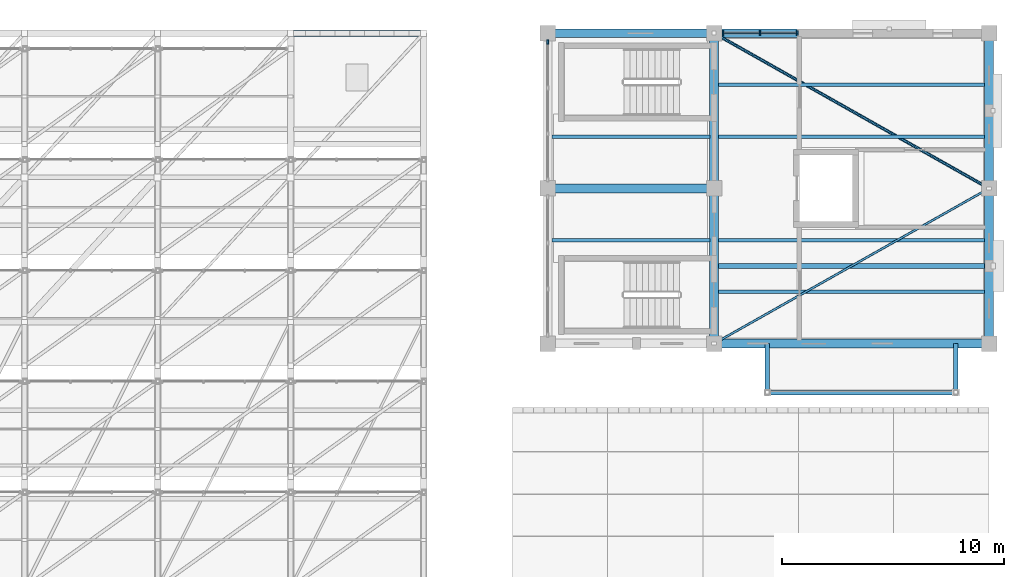
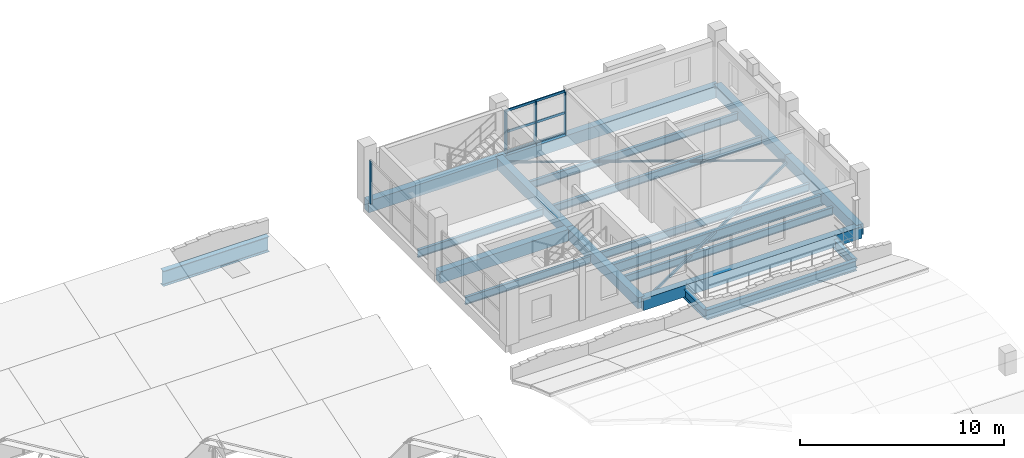
# One storey, part 21 of 48: 19 beams, 9 members, 2 elements without a shape of their own.
"""IFC4 building model written with IfcOpenShell, lengths in metres."""

from ifc_helpers import new_model, si_unit, direction, frame, origin, origin_2d, place, context, subcontext, project, spatial, rectangle, hollow_rectangle, hollow_circle, i_section, extrude, material, layer, layer_set, material_profile, profile_set, type_object, element, aggregate, save


model = new_model("IFC4")

# Units and contexts
model_context = context("Model", 3, precision=1e-05, world=origin(), true_north=direction((0.0, 1.0)))
body_context = subcontext(model_context, "Body", "Model", "MODEL_VIEW")
ifc_project = project(units=[si_unit("LENGTHUNIT", "METRE"), si_unit("AREAUNIT", "SQUARE_METRE"), si_unit("VOLUMEUNIT", "CUBIC_METRE"), si_unit("PLANEANGLEUNIT", "RADIAN"), si_unit("MASSUNIT", "GRAM", prefix="KILO")], contexts=[model_context])

# Site, building, storey
site_placement = place(None, origin())
site = spatial("IfcSite", under=ifc_project, at=site_placement, CompositionType="ELEMENT")
building_placement = place(site_placement, origin())
building = spatial("IfcBuilding", under=site, at=building_placement, Name="Trellovar Central Fire Station", CompositionType="ELEMENT")
storey_placement = place(building_placement, frame((0.0, 0.0, 9.300048828125)))
storey = spatial("IfcBuildingStorey", under=building, at=storey_placement, Name="L03", CompositionType="ELEMENT", Elevation=9.300048828125)

# Beams
ifc_material_1 = material(Name="Concrete C40/50", Category="concrete")
ifc_material_profile_1 = material_profile(ifc_material_1, rectangle(XDim=0.39990234375, YDim=0.699951171875, at=origin_2d()), Name="RC400X700")
ifc_profile_set_1 = profile_set([ifc_material_profile_1], Name="Concrete C40/50")
beam_type_1 = type_object("IfcBeamType", Name="BM-G3", PredefinedType="BEAM", material=ifc_profile_set_1)
beam_1_placement = place(storey_placement, frame((148.60009765625, 59.0, -0.35009765625), z_axis=(1.0, 0.0, 0.0), x_axis=(0.0, 1.0, 0.0)))
element("IfcBeam", 1, at=beam_1_placement, inside=storey, type_object=beam_type_1, Name="L03 beam G-3", PredefinedType="BEAM", context=body_context, shape_type="SweptSolid", body=[
    extrude(rectangle(XDim=0.39990234375, YDim=0.699951171875, at=origin_2d()), origin(), (0.0, 0.0, 1.0), 12.39990234375),
])
for number, where, z_axis, x_axis, name in (
    (2, (141.10009765625, 66.0, -0.35009765625), (1.0, 0.0, 0.0), (0.0, 1.0, 0.0), "L03 beam G-3"),
    (3, (141.10009765625, 73.0, -0.35009765625), (1.0, 0.0, 0.0), (0.0, 1.0, 0.0), "L03 beam G-3"),
):
    element("IfcBeam", number, at=place(storey_placement, frame(where, z_axis=z_axis, x_axis=x_axis)), inside=storey, type_object=beam_type_1, Name=name, PredefinedType="BEAM", context=body_context, shape_type="SweptSolid", body=[
        extrude(rectangle(XDim=0.39990234375, YDim=0.699951171875, at=origin_2d()), origin(), (0.0, 0.0, 1.0), 7.5),
    ])
beam_2_placement = place(storey_placement, frame((148.60009765625, 73.0, -0.35009765625), z_axis=(1.0, 0.0, 0.0), x_axis=(0.0, 1.0, 0.0)))
element("IfcBeam", 4, at=beam_2_placement, inside=storey, type_object=beam_type_1, Name="L03 beam G-3", PredefinedType="BEAM", context=body_context, shape_type="SweptSolid", body=[
    extrude(rectangle(XDim=0.39990234375, YDim=0.699951171875, at=origin_2d()), origin(), (0.0, 0.0, 1.0), 12.39990234375),
])
ifc_material_2 = material(Name="Concrete C40/50", Category="concrete")
ifc_material_profile_2 = material_profile(ifc_material_2, rectangle(XDim=0.39990234375, YDim=0.64990234375, at=origin_2d()), Name="RC400X650")
ifc_profile_set_2 = profile_set([ifc_material_profile_2], Name="Concrete C40/50")
beam_type_2 = type_object("IfcBeamType", Name="BM-G4", PredefinedType="BEAM", material=ifc_profile_set_2)
for number, where, z_axis, x_axis, name in (
    (5, (148.60009765625, 59.0, -0.324951171875), (0.0, 1.0, 0.0), (-1.0, 0.0, 0.0), "L03 beam G-4"),
    (6, (148.60009765625, 66.0, -0.324951171875), (0.0, 1.0, 0.0), (-1.0, 0.0, 0.0), "L03 beam G-4"),
    (7, (161.0, 59.0, -0.324951171875), (0.0, 1.0, 0.0), (-1.0, 0.0, 0.0), "L03 beam G-4"),
    (8, (161.0, 66.0, -0.324951171875), (0.0, 1.0, 0.0), (-1.0, 0.0, 0.0), "L03 beam G-4"),
):
    element("IfcBeam", number, at=place(storey_placement, frame(where, z_axis=z_axis, x_axis=x_axis)), inside=storey, type_object=beam_type_2, Name=name, PredefinedType="BEAM", context=body_context, shape_type="SweptSolid", body=[
        extrude(rectangle(XDim=0.39990234375, YDim=0.64990234375, at=origin_2d()), origin(), (0.0, 0.0, 1.0), 7.0),
    ])
ifc_material_3 = material(Name="Steel ASTM A992 Grade 50", Category="steel")
ifc_material_profile_3 = material_profile(ifc_material_3, i_section(OverallWidth=0.3046875, OverallDepth=0.911865234375, WebThickness=0.015869140625, FlangeThickness=0.02392578125, FilletRadius=0.024169921875, at=origin_2d()), Name="W36X150")
ifc_profile_set_3 = profile_set([ifc_material_profile_3], Name="Steel ASTM A992 Grade 50")
beam_type_3 = type_object("IfcBeamType", Name="BM-SW1", PredefinedType="BEAM", material=ifc_profile_set_3)
beam_3_placement = place(storey_placement, frame((129.5, 73.0, -0.635986328125), z_axis=(1.0, 0.0, 0.0), x_axis=(0.0, 1.0, 0.0)))
element("IfcBeam", 9, at=beam_3_placement, inside=storey, type_object=beam_type_3, Name="L03 beam SB-1", PredefinedType="BEAM", context=body_context, shape_type="SweptSolid", body=[
    extrude(i_section(OverallWidth=0.3046875, OverallDepth=0.911865234375, WebThickness=0.015869140625, FlangeThickness=0.02392578125, FilletRadius=0.024169921875, at=origin_2d()), origin(), (0.0, 0.0, 1.0), 6.0),
])
ifc_material_4 = material(Name="Steel ASTM A992 Grade 50", Category="steel")
ifc_material_profile_4 = material_profile(ifc_material_4, i_section(OverallWidth=0.15283203125, OverallDepth=0.45458984375, WebThickness=0.008056640625, FlangeThickness=0.01318359375, FilletRadius=0.0126953125, at=origin_2d()), Name="W18X40")
ifc_profile_set_4 = profile_set([ifc_material_profile_4], Name="Steel ASTM A992 Grade 50")
beam_type_4 = type_object("IfcBeamType", Name="BM-SW10", PredefinedType="JOIST", material=ifc_profile_set_4)
for number, where, z_axis, x_axis, name in (
    (10, (141.294921875, 63.666748046875, -0.477294921875), (1.0, 0.0, 0.0), (0.0, 1.0, 0.0), "L03 beam SB-10"),
    (11, (141.294921875, 68.333251953125, -0.477294921875), (1.0, 0.0, 0.0), (0.0, 1.0, 0.0), "L03 beam SB-10"),
):
    element("IfcBeam", number, at=place(storey_placement, frame(where, z_axis=z_axis, x_axis=x_axis)), inside=storey, type_object=beam_type_4, Name=name, PredefinedType="JOIST", context=body_context, shape_type="SweptSolid", body=[
        extrude(i_section(OverallWidth=0.15283203125, OverallDepth=0.45458984375, WebThickness=0.008056640625, FlangeThickness=0.01318359375, FilletRadius=0.0126953125, at=origin_2d()), origin(), (0.0, 0.0, 1.0), 7.110107421875),
    ])
for number, where, z_axis, x_axis, name in (
    (12, (148.794921875, 61.333251953125, -0.477294921875), (1.0, 0.0, 0.0), (0.0, 1.0, 0.0), "L03 beam SB-10"),
    (13, (148.794921875, 63.666748046875, -0.477294921875), (1.0, 0.0, 0.0), (0.0, 1.0, 0.0), "L03 beam SB-10"),
    (14, (148.794921875, 68.333251953125, -0.477294921875), (1.0, 0.0, 0.0), (0.0, 1.0, 0.0), "L03 beam SB-10"),
    (15, (148.794921875, 70.666748046875, -0.477294921875), (1.0, 0.0, 0.0), (0.0, 1.0, 0.0), "L03 beam SB-10"),
):
    element("IfcBeam", number, at=place(storey_placement, frame(where, z_axis=z_axis, x_axis=x_axis)), inside=storey, type_object=beam_type_4, Name=name, PredefinedType="JOIST", context=body_context, shape_type="SweptSolid", body=[
        extrude(i_section(OverallWidth=0.15283203125, OverallDepth=0.45458984375, WebThickness=0.008056640625, FlangeThickness=0.01318359375, FilletRadius=0.0126953125, at=origin_2d()), origin(), (0.0, 0.0, 1.0), 12.010009765625),
    ])
ifc_material_5 = material(Name="Steel ASTM A992 Grade 50", Category="steel")
ifc_material_profile_5 = material_profile(ifc_material_5, i_section(OverallWidth=0.22900390625, OverallDepth=0.612060546875, WebThickness=0.011962890625, FlangeThickness=0.01953125, FilletRadius=0.01513671875, at=origin_2d()), Name="W24X84")
ifc_profile_set_5 = profile_set([ifc_material_profile_5], Name="Steel ASTM A992 Grade 50")
beam_type_5 = type_object("IfcBeamType", Name="BM-SW5", PredefinedType="BEAM", material=ifc_profile_set_5)
beam_4_placement = place(storey_placement, frame((148.60009765625, 62.5, -0.546142578125), z_axis=(1.0, 0.0, 0.0), x_axis=(0.0, 1.0, 0.0)))
element("IfcBeam", 16, at=beam_4_placement, inside=storey, type_object=beam_type_5, Name="V2 L03 44.5 kN rappel anchor beam", PredefinedType="BEAM", context=body_context, shape_type="SweptSolid", body=[
    extrude(i_section(OverallWidth=0.22900390625, OverallDepth=0.612060546875, WebThickness=0.011962890625, FlangeThickness=0.01953125, FilletRadius=0.01513671875, at=origin_2d()), origin(), (0.0, 0.0, 1.0), 12.39990234375),
])
ifc_material_6 = material(Name="Steel ASTM A992 Grade 50", Category="steel")
ifc_material_profile_6 = material_profile(ifc_material_6, i_section(OverallWidth=0.227783203125, OverallDepth=0.60205078125, WebThickness=0.010498046875, FlangeThickness=0.014892578125, FilletRadius=0.01513671875, at=origin_2d()), Name="W24X68")
ifc_profile_set_6 = profile_set([ifc_material_profile_6], Name="Steel ASTM A992 Grade 50")
beam_type_6 = type_object("IfcBeamType", Name="BM-SW6", PredefinedType="BEAM", material=ifc_profile_set_6)
beam_5_placement = place(storey_placement, frame((151.0, 56.800048828125, -0.531005859375), z_axis=(1.0, 0.0, 0.0), x_axis=(0.0, 1.0, 0.0)))
element("IfcBeam", 17, at=beam_5_placement, inside=storey, type_object=beam_type_6, Name="V2 L03 balcony edge beam", PredefinedType="BEAM", context=body_context, shape_type="SweptSolid", body=[
    extrude(i_section(OverallWidth=0.227783203125, OverallDepth=0.60205078125, WebThickness=0.010498046875, FlangeThickness=0.014892578125, FilletRadius=0.01513671875, at=origin_2d()), origin(), (0.0, 0.0, 1.0), 8.5),
])
ifc_material_7 = material(Name="Steel ASTM A992 Grade 50", Category="steel")
ifc_material_profile_7 = material_profile(ifc_material_7, i_section(OverallWidth=0.209228515625, OverallDepth=0.533447265625, WebThickness=0.01025390625, FlangeThickness=0.015625, FilletRadius=0.013916015625, at=origin_2d()), Name="W21X62")
ifc_profile_set_7 = profile_set([ifc_material_profile_7], Name="Steel ASTM A992 Grade 50")
beam_type_7 = type_object("IfcBeamType", Name="BM-SW7", PredefinedType="BEAM", material=ifc_profile_set_7)
for number, where, z_axis, x_axis, name in (
    (18, (151.0, 56.800048828125, -0.496826171875), (0.0, 1.0, 0.0), (-1.0, 0.0, 0.0), "V2 L03 balcony tie beam"),
    (19, (159.5, 56.800048828125, -0.496826171875), (0.0, 1.0, 0.0), (-1.0, 0.0, 0.0), "V2 L03 balcony tie beam"),
):
    element("IfcBeam", number, at=place(storey_placement, frame(where, z_axis=z_axis, x_axis=x_axis)), inside=storey, type_object=beam_type_7, Name=name, PredefinedType="BEAM", context=body_context, shape_type="SweptSolid", body=[
        extrude(i_section(OverallWidth=0.209228515625, OverallDepth=0.533447265625, WebThickness=0.01025390625, FlangeThickness=0.015625, FilletRadius=0.013916015625, at=origin_2d()), origin(), (0.0, 0.0, 1.0), 2.199951171875),
    ])

# Curtain wall, members
ifc_material_8 = material(Name="Thermally broken bronze anodized aluminum", Category="aluminium")
ifc_layer_1 = layer(ifc_material_8, 0.159912109375)
ifc_layer_set_1 = layer_set([ifc_layer_1], Name="Thermally broken bronze anodized aluminum")
curtain_wall_type_1 = type_object("IfcCurtainWallType", Name="CW-08", PredefinedType="NOTDEFINED", material=ifc_layer_set_1)
curtain_wall_1_placement = place(storey_placement, origin())
curtain_wall_1 = element("IfcCurtainWall", 20, at=curtain_wall_1_placement, inside=storey, type_object=curtain_wall_type_1, Name="V2 L03 north lobby curtain wall", PredefinedType="NOTDEFINED")
ifc_material_9 = material(Name="Thermally broken bronze anodized aluminum", Category="aluminium")
ifc_material_profile_8 = material_profile(ifc_material_9, rectangle(XDim=0.074951171875, YDim=0.199951171875, at=origin_2d()), Name="ALU75X200")
ifc_profile_set_8 = profile_set([ifc_material_profile_8], Name="Thermally broken bronze anodized aluminum")
member_type_1 = type_object("IfcMemberType", Name="CWM-1", PredefinedType="MULLION", material=ifc_profile_set_8)
member_1_placement = place(storey_placement, frame((152.35009765625, 73.0, 0.0), z_axis=(0.0, 0.0, 1.0), x_axis=(1.0, 0.0, 0.0)))
member_1 = element("IfcMember", 21, at=member_1_placement, type_object=member_type_1, Name="CW3-L03-0159 mullion 1", PredefinedType="MULLION", context=body_context, shape_type="SweptSolid", body=[
    extrude(rectangle(XDim=0.074951171875, YDim=0.199951171875, at=origin_2d()), origin(), (0.0, 0.0, 1.0), 2.550048828125),
])
member_2_placement = place(storey_placement, frame((150.675048828125, 73.0, 0.0), z_axis=(0.0, 0.0, 1.0), x_axis=(1.0, 0.0, 0.0)))
member_2 = element("IfcMember", 22, at=member_2_placement, type_object=member_type_1, Name="CW3-L03-0159 mullion 2", PredefinedType="MULLION", context=body_context, shape_type="SweptSolid", body=[
    extrude(rectangle(XDim=0.074951171875, YDim=0.199951171875, at=origin_2d()), origin(), (0.0, 0.0, 1.0), 2.550048828125),
])
member_3_placement = place(storey_placement, frame((149.0, 73.0, 0.0), z_axis=(0.0, 0.0, 1.0), x_axis=(1.0, 0.0, 0.0)))
member_3 = element("IfcMember", 23, at=member_3_placement, type_object=member_type_1, Name="CW3-L03-0159 mullion 3", PredefinedType="MULLION", context=body_context, shape_type="SweptSolid", body=[
    extrude(rectangle(XDim=0.074951171875, YDim=0.199951171875, at=origin_2d()), origin(), (0.0, 0.0, 1.0), 2.550048828125),
])

# Curtain wall, member
ifc_material_10 = material(Name="Thermally broken bronze anodized aluminum", Category="aluminium")
ifc_layer_2 = layer(ifc_material_10, 0.159912109375)
ifc_layer_set_2 = layer_set([ifc_layer_2], Name="Thermally broken bronze anodized aluminum")
curtain_wall_type_2 = type_object("IfcCurtainWallType", Name="CW-07", PredefinedType="NOTDEFINED", material=ifc_layer_set_2)
curtain_wall_2_placement = place(storey_placement, origin())
curtain_wall_2 = element("IfcCurtainWall", 24, at=curtain_wall_2_placement, inside=storey, type_object=curtain_wall_type_2, Name="V2 L03 west drill yard curtain wall", PredefinedType="NOTDEFINED")
member_4_placement = place(storey_placement, frame((141.10009765625, 72.610107421875, 0.0), z_axis=(0.0, 0.0, 1.0), x_axis=(1.0, 0.0, 0.0)))
member_4 = element("IfcMember", 25, at=member_4_placement, type_object=member_type_1, Name="CW3-L03-0161 mullion 4", PredefinedType="MULLION", context=body_context, shape_type="SweptSolid", body=[
    extrude(rectangle(XDim=0.074951171875, YDim=0.199951171875, at=origin_2d()), origin(), (0.0, 0.0, 1.0), 2.550048828125),
])
aggregate(curtain_wall_2, [member_4])

# Member
ifc_material_11 = material(Name="Thermally broken bronze anodized aluminum", Category="aluminium")
ifc_material_profile_9 = material_profile(ifc_material_11, rectangle(XDim=0.06005859375, YDim=0.139892578125, at=origin_2d()), Name="ALU60X140")
ifc_profile_set_9 = profile_set([ifc_material_profile_9], Name="Thermally broken bronze anodized aluminum")
member_type_2 = type_object("IfcMemberType", Name="CWT-1", PredefinedType="USERDEFINED", material=ifc_profile_set_9)
member_5_placement = place(storey_placement, frame((152.35009765625, 73.0, 0.0), z_axis=(-1.0, 0.0, 0.0), x_axis=(0.0, -1.0, 0.0)))
member_5 = element("IfcMember", 26, at=member_5_placement, type_object=member_type_2, Name="CW3-L03-0159 transom 1", ObjectType="TRANSOM", PredefinedType="USERDEFINED", context=body_context, shape_type="SweptSolid", body=[
    extrude(rectangle(XDim=0.06005859375, YDim=0.139892578125, at=origin_2d()), origin(), (0.0, 0.0, 1.0), 3.35009765625),
])

member_6_placement = place(storey_placement, frame((152.35009765625, 73.0, 1.27490234375), z_axis=(-1.0, 0.0, 0.0), x_axis=(0.0, -1.0, 0.0)))
member_6 = element("IfcMember", 27, at=member_6_placement, type_object=member_type_2, Name="CW3-L03-0159 transom 2", ObjectType="TRANSOM", PredefinedType="USERDEFINED", context=body_context, shape_type="SweptSolid", body=[
    extrude(rectangle(XDim=0.06005859375, YDim=0.139892578125, at=origin_2d()), origin(), (0.0, 0.0, 1.0), 3.35009765625),
])

member_7_placement = place(storey_placement, frame((152.35009765625, 73.0, 2.550048828125), z_axis=(-1.0, 0.0, 0.0), x_axis=(0.0, -1.0, 0.0)))
member_7 = element("IfcMember", 28, at=member_7_placement, type_object=member_type_2, Name="CW3-L03-0159 transom 3", ObjectType="TRANSOM", PredefinedType="USERDEFINED", context=body_context, shape_type="SweptSolid", body=[
    extrude(rectangle(XDim=0.06005859375, YDim=0.139892578125, at=origin_2d()), origin(), (0.0, 0.0, 1.0), 3.35009765625),
])

aggregate(curtain_wall_1, [member_1, member_2, member_3, member_5, member_6, member_7])

# Members
ifc_material_12 = material(Name="Steel ASTM A500 Grade C", Category="steel")
ifc_material_profile_10 = material_profile(ifc_material_12, hollow_rectangle(XDim=0.1015625, YDim=0.15234375, WallThickness=0.005859375, InnerFilletRadius=0.005859375, OuterFilletRadius=0.01171875, at=origin_2d()), Name="HSS6X4X1/4")
ifc_profile_set_10 = profile_set([ifc_material_profile_10], Name="Steel ASTM A500 Grade C")
member_type_3 = type_object("IfcMemberType", Name="MEM-ST2", PredefinedType="STRUT", material=ifc_profile_set_10)
member_8_placement = place(storey_placement, frame((148.60009765625, 59.0, -0.39013671875), z_axis=(0.870822651699, 0.491597303987, 0.0), x_axis=(-0.491597303987, 0.870822651699, 0.0)))
element("IfcMember", 29, at=member_8_placement, inside=storey, type_object=member_type_3, Name="V2 L03 deck diaphragm strut", PredefinedType="STRUT", context=body_context, shape_type="SweptSolid", body=[
    extrude(hollow_rectangle(XDim=0.1015625, YDim=0.15234375, WallThickness=0.005859375, InnerFilletRadius=0.005859375, OuterFilletRadius=0.01171875, at=origin_2d()), origin(), (0.0, 0.0, 1.0), 14.2392578125),
])
ifc_material_13 = material(Name="Steel ASTM A500 Grade C", Category="steel")
ifc_material_profile_11 = material_profile(ifc_material_13, hollow_circle(Radius=0.070556640625, WallThickness=0.006103515625, at=origin_2d()), Name="HSS5.563X0.258")
ifc_profile_set_11 = profile_set([ifc_material_profile_11], Name="Steel ASTM A500 Grade C")
member_type_4 = type_object("IfcMemberType", Name="MEM-ST4", PredefinedType="STRUT", material=ifc_profile_set_11)
member_9_placement = place(storey_placement, frame((148.60009765625, 73.0, -0.39013671875), z_axis=(0.870822651699, -0.491597303987, 0.0), x_axis=(0.491597303987, 0.870822651699, 0.0)))
element("IfcMember", 30, at=member_9_placement, inside=storey, type_object=member_type_4, Name="V2 L03 deck round HSS strut", PredefinedType="STRUT", context=body_context, shape_type="SweptSolid", body=[
    extrude(hollow_circle(Radius=0.070556640625, WallThickness=0.006103515625, at=origin_2d()), origin(), (0.0, 0.0, 1.0), 14.2392578125),
])

save(model, "model.ifc")
